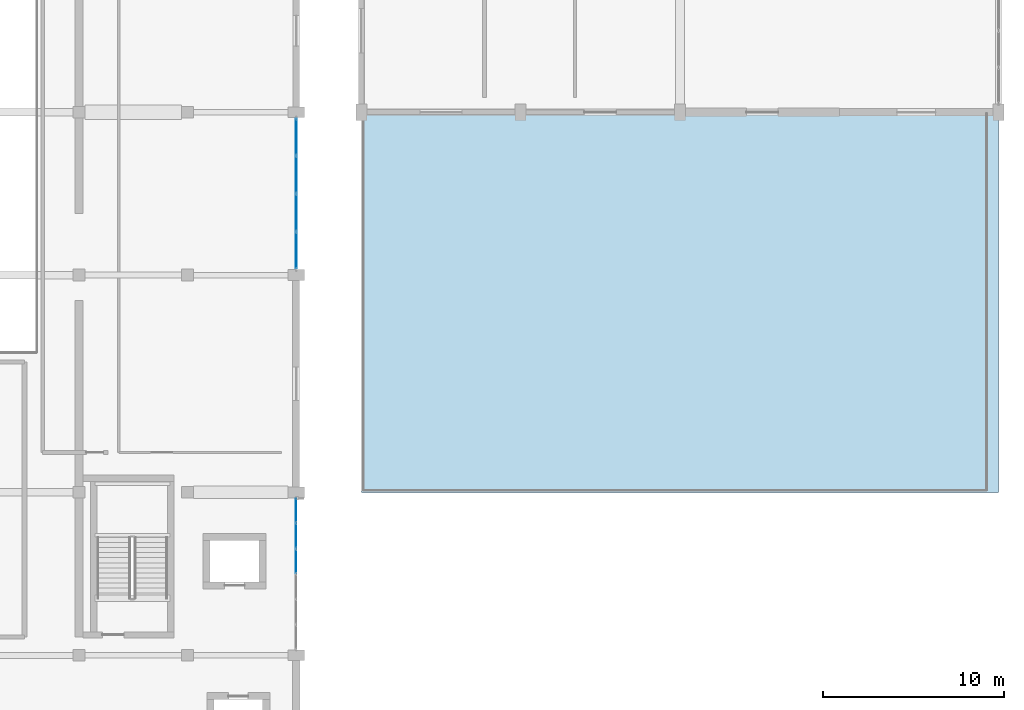
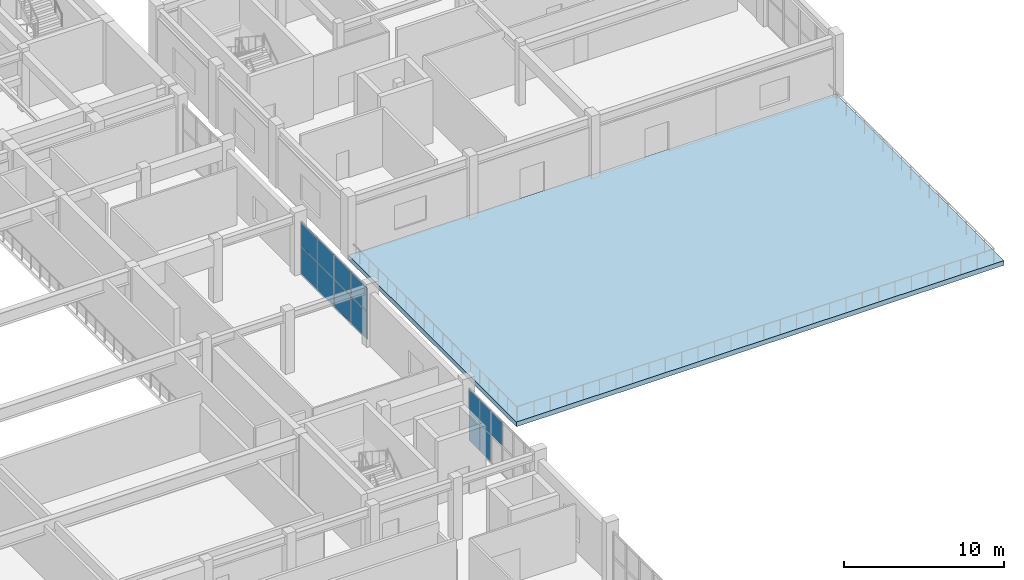
# One storey, part 36 of 62: 13 plates, 1 slab, 2 elements without a shape of their own.
"""IFC4 building model written with IfcOpenShell, lengths in metres."""

from ifc_helpers import new_model, si_unit, direction, frame, origin, origin_2d, place, context, subcontext, project, spatial, polyline, rectangle, outline, extrude, material, layer, layer_set, type_object, element, aggregate, save


model = new_model("IFC4")

# Units and contexts
model_context = context("Model", 3, precision=1e-05, world=origin(), true_north=direction((0.0, 1.0)))
body_context = subcontext(model_context, "Body", "Model", "MODEL_VIEW")
ifc_project = project(units=[si_unit("LENGTHUNIT", "METRE"), si_unit("AREAUNIT", "SQUARE_METRE"), si_unit("VOLUMEUNIT", "CUBIC_METRE"), si_unit("PLANEANGLEUNIT", "RADIAN"), si_unit("MASSUNIT", "GRAM", prefix="KILO")], contexts=[model_context])

# Site, building, storey
site_placement = place(None, origin())
site = spatial("IfcSite", under=ifc_project, at=site_placement, CompositionType="ELEMENT")
building_placement = place(site_placement, origin())
building = spatial("IfcBuilding", under=site, at=building_placement, Name="Vaelkrest Opera House", CompositionType="ELEMENT")
storey_placement = place(building_placement, frame((0.0, 0.0, 19.800048828125)))
storey = spatial("IfcBuildingStorey", under=building, at=storey_placement, Name="L04", CompositionType="ELEMENT", Elevation=19.800048828125)

# Curtain wall, plates
ifc_material_1 = material(Name="Dark bronze anodized aluminium", Category="aluminium")
ifc_layer_1 = layer(ifc_material_1, 0.179931640625)
ifc_layer_set_1 = layer_set([ifc_layer_1], Name="Dark bronze anodized aluminium")
curtain_wall_type_1 = type_object("IfcCurtainWallType", Name="CW01", PredefinedType="NOTDEFINED", material=ifc_layer_set_1)
curtain_wall_1_placement = place(storey_placement, origin())
curtain_wall_1 = element("IfcCurtainWall", 1, at=curtain_wall_1_placement, inside=storey, type_object=curtain_wall_type_1, Name="Curtain wall CW-L04-066", PredefinedType="NOTDEFINED")
ifc_material_2 = material(Name="Double low-E insulated glazing", Category="glass")
ifc_layer_2 = layer(ifc_material_2, 0.02587890625)
ifc_layer_set_2 = layer_set([ifc_layer_2], Name="Double low-E insulated glazing")
plate_type_1 = type_object("IfcPlateType", Name="CWP01", PredefinedType="CURTAIN_PANEL", material=ifc_layer_set_2)
plate_1_placement = place(storey_placement, frame((30.0, -20.814697265625, 0.06494140625), z_axis=(0.0, 0.0, 1.0), x_axis=(0.0, -1.0, 0.0)))
plate_1 = element("IfcPlate", 2, at=plate_1_placement, type_object=plate_type_1, Name="CW01 panel 1.1", PredefinedType="CURTAIN_PANEL", context=body_context, shape_type="SweptSolid", body=[
    extrude(rectangle(XDim=1.30322265625, YDim=0.02587890625, at=origin_2d()), origin(), (0.0, 0.0, 1.0), 2.052490234375),
])
plate_2_placement = place(storey_placement, frame((30.0, -20.814697265625, 2.1826171875), z_axis=(0.0, 0.0, 1.0), x_axis=(0.0, -1.0, 0.0)))
plate_2 = element("IfcPlate", 3, at=plate_2_placement, type_object=plate_type_1, Name="CW01 panel 1.2", PredefinedType="CURTAIN_PANEL", context=body_context, shape_type="SweptSolid", body=[
    extrude(rectangle(XDim=1.30322265625, YDim=0.02587890625, at=origin_2d()), origin(), (0.0, 0.0, 1.0), 1.79541015625),
])
plate_3_placement = place(storey_placement, frame((30.0, -22.198974609375, 0.06494140625), z_axis=(0.0, 0.0, 1.0), x_axis=(0.0, -1.0, 0.0)))
plate_3 = element("IfcPlate", 4, at=plate_3_placement, type_object=plate_type_1, Name="CW01 panel 2.1", PredefinedType="CURTAIN_PANEL", context=body_context, shape_type="SweptSolid", body=[
    extrude(rectangle(XDim=1.335693359375, YDim=0.02587890625, at=origin_2d()), origin(), (0.0, 0.0, 1.0), 2.052490234375),
])
plate_4_placement = place(storey_placement, frame((30.0, -22.198974609375, 2.1826171875), z_axis=(0.0, 0.0, 1.0), x_axis=(0.0, -1.0, 0.0)))
plate_4 = element("IfcPlate", 5, at=plate_4_placement, type_object=plate_type_1, Name="CW01 panel 2.2", PredefinedType="CURTAIN_PANEL", context=body_context, shape_type="SweptSolid", body=[
    extrude(rectangle(XDim=1.335693359375, YDim=0.02587890625, at=origin_2d()), origin(), (0.0, 0.0, 1.0), 1.79541015625),
])
plate_5_placement = place(storey_placement, frame((30.0, -23.599609375, 2.1826171875), z_axis=(0.0, 0.0, 1.0), x_axis=(0.0, -1.0, 0.0)))
plate_5 = element("IfcPlate", 6, at=plate_5_placement, type_object=plate_type_1, Name="CW01 panel 3.2", PredefinedType="CURTAIN_PANEL", context=body_context, shape_type="SweptSolid", body=[
    extrude(rectangle(XDim=1.335693359375, YDim=0.02587890625, at=origin_2d()), origin(), (0.0, 0.0, 1.0), 1.79541015625),
])
aggregate(curtain_wall_1, [plate_1, plate_2, plate_3, plate_4, plate_5])

ifc_layer_3 = layer(ifc_material_1, 0.239990234375)
ifc_layer_set_3 = layer_set([ifc_layer_3], Name="Dark bronze anodized aluminium")
curtain_wall_type_2 = type_object("IfcCurtainWallType", Name="CW07", PredefinedType="NOTDEFINED", material=ifc_layer_set_3)
curtain_wall_2_placement = place(storey_placement, origin())
curtain_wall_2 = element("IfcCurtainWall", 7, at=curtain_wall_2_placement, inside=storey, type_object=curtain_wall_type_2, Name="Curtain wall CW-L04-065", PredefinedType="NOTDEFINED")
ifc_material_3 = material(Name="Dark bronze anodized aluminium spandrel", Category="aluminium")
ifc_layer_4 = layer(ifc_material_3, 0.052001953125)
ifc_layer_set_4 = layer_set([ifc_layer_4], Name="Dark bronze anodized aluminium spandrel")
plate_type_2 = type_object("IfcPlateType", Name="CWP07", PredefinedType="CURTAIN_PANEL", material=ifc_layer_set_4)
plate_6_placement = place(storey_placement, frame((30.0, -0.167236328125, 0.06494140625), z_axis=(0.0, 0.0, 1.0), x_axis=(0.0, -1.0, 0.0)))
plate_6 = element("IfcPlate", 8, at=plate_6_placement, type_object=plate_type_2, Name="CW07 panel 1.1", PredefinedType="CURTAIN_PANEL", context=body_context, shape_type="SweptSolid", body=[
    extrude(rectangle(XDim=1.988525390625, YDim=0.052001953125, at=origin_2d()), origin(), (0.0, 0.0, 1.0), 2.052490234375),
])
plate_7_placement = place(storey_placement, frame((30.0, -0.167236328125, 2.1826171875), z_axis=(0.0, 0.0, 1.0), x_axis=(0.0, -1.0, 0.0)))
plate_7 = element("IfcPlate", 9, at=plate_7_placement, type_object=plate_type_2, Name="CW07 panel 1.2", PredefinedType="CURTAIN_PANEL", context=body_context, shape_type="SweptSolid", body=[
    extrude(rectangle(XDim=1.988525390625, YDim=0.052001953125, at=origin_2d()), origin(), (0.0, 0.0, 1.0), 1.79541015625),
])
plate_8_placement = place(storey_placement, frame((30.0, -2.24951171875, 0.06494140625), z_axis=(0.0, 0.0, 1.0), x_axis=(0.0, -1.0, 0.0)))
plate_8 = element("IfcPlate", 10, at=plate_8_placement, type_object=plate_type_2, Name="CW07 panel 2.1", PredefinedType="CURTAIN_PANEL", context=body_context, shape_type="SweptSolid", body=[
    extrude(rectangle(XDim=2.02587890625, YDim=0.052001953125, at=origin_2d()), origin(), (0.0, 0.0, 1.0), 2.052490234375),
])
plate_9_placement = place(storey_placement, frame((30.0, -2.24951171875, 2.1826171875), z_axis=(0.0, 0.0, 1.0), x_axis=(0.0, -1.0, 0.0)))
plate_9 = element("IfcPlate", 11, at=plate_9_placement, type_object=plate_type_2, Name="CW07 panel 2.2", PredefinedType="CURTAIN_PANEL", context=body_context, shape_type="SweptSolid", body=[
    extrude(rectangle(XDim=2.02587890625, YDim=0.052001953125, at=origin_2d()), origin(), (0.0, 0.0, 1.0), 1.79541015625),
])
plate_10_placement = place(storey_placement, frame((30.0, -4.3505859375, 0.06494140625), z_axis=(0.0, 0.0, 1.0), x_axis=(0.0, -1.0, 0.0)))
plate_10 = element("IfcPlate", 12, at=plate_10_placement, type_object=plate_type_2, Name="CW07 panel 3.1", PredefinedType="CURTAIN_PANEL", context=body_context, shape_type="SweptSolid", body=[
    extrude(rectangle(XDim=2.02587890625, YDim=0.052001953125, at=origin_2d()), origin(), (0.0, 0.0, 1.0), 2.052490234375),
])
plate_11_placement = place(storey_placement, frame((30.0, -4.3505859375, 2.1826171875), z_axis=(0.0, 0.0, 1.0), x_axis=(0.0, -1.0, 0.0)))
plate_11 = element("IfcPlate", 13, at=plate_11_placement, type_object=plate_type_2, Name="CW07 panel 3.2", PredefinedType="CURTAIN_PANEL", context=body_context, shape_type="SweptSolid", body=[
    extrude(rectangle(XDim=2.02587890625, YDim=0.052001953125, at=origin_2d()), origin(), (0.0, 0.0, 1.0), 1.79541015625),
])
plate_12_placement = place(storey_placement, frame((30.0, -6.432861328125, 0.06494140625), z_axis=(0.0, 0.0, 1.0), x_axis=(0.0, -1.0, 0.0)))
plate_12 = element("IfcPlate", 14, at=plate_12_placement, type_object=plate_type_2, Name="CW07 panel 4.1", PredefinedType="CURTAIN_PANEL", context=body_context, shape_type="SweptSolid", body=[
    extrude(rectangle(XDim=1.988525390625, YDim=0.052001953125, at=origin_2d()), origin(), (0.0, 0.0, 1.0), 2.052490234375),
])
plate_13_placement = place(storey_placement, frame((30.0, -6.432861328125, 2.1826171875), z_axis=(0.0, 0.0, 1.0), x_axis=(0.0, -1.0, 0.0)))
plate_13 = element("IfcPlate", 15, at=plate_13_placement, type_object=plate_type_2, Name="CW07 panel 4.2", PredefinedType="CURTAIN_PANEL", context=body_context, shape_type="SweptSolid", body=[
    extrude(rectangle(XDim=1.988525390625, YDim=0.052001953125, at=origin_2d()), origin(), (0.0, 0.0, 1.0), 1.79541015625),
])
aggregate(curtain_wall_2, [plate_6, plate_7, plate_8, plate_9, plate_10, plate_11, plate_12, plate_13])

# Slab
ifc_material_4 = material(Name="Concrete C40/50", Category="concrete")
ifc_layer_5 = layer(ifc_material_4, 0.364990234375)
ifc_layer_set_5 = layer_set([ifc_layer_5], Name="Concrete C40/50")
slab_type = type_object("IfcSlabType", Name="TS04", PredefinedType="FLOOR", material=ifc_layer_set_5)
slab_placement = place(storey_placement, frame((0.0, 0.0, -0.364990234375)))
element("IfcSlab", 16, at=slab_placement, inside=storey, type_object=slab_type, Name="Terrace slab SLB-EXT-V4-L04-032", PredefinedType="FLOOR", context=body_context, shape_type="SweptSolid", body=[
    extrude(outline(polyline([(33.60009765625, -19.800048828125), (68.800048828125, -19.800048828125), (68.800048828125, 1.199951171875), (33.60009765625, 1.199951171875), (33.60009765625, -19.800048828125)])), origin(), (0.0, 0.0, 1.0), 0.364990234375),
])

save(model, "model.ifc")
